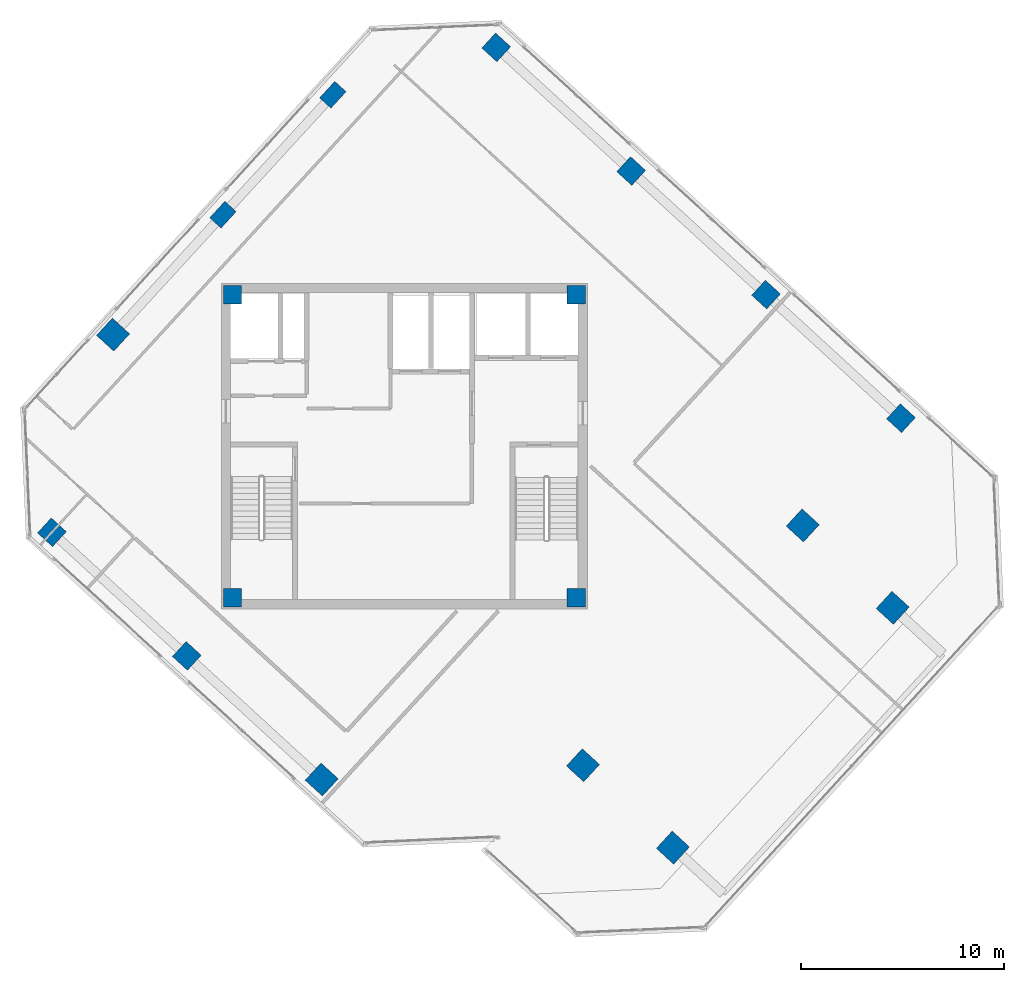
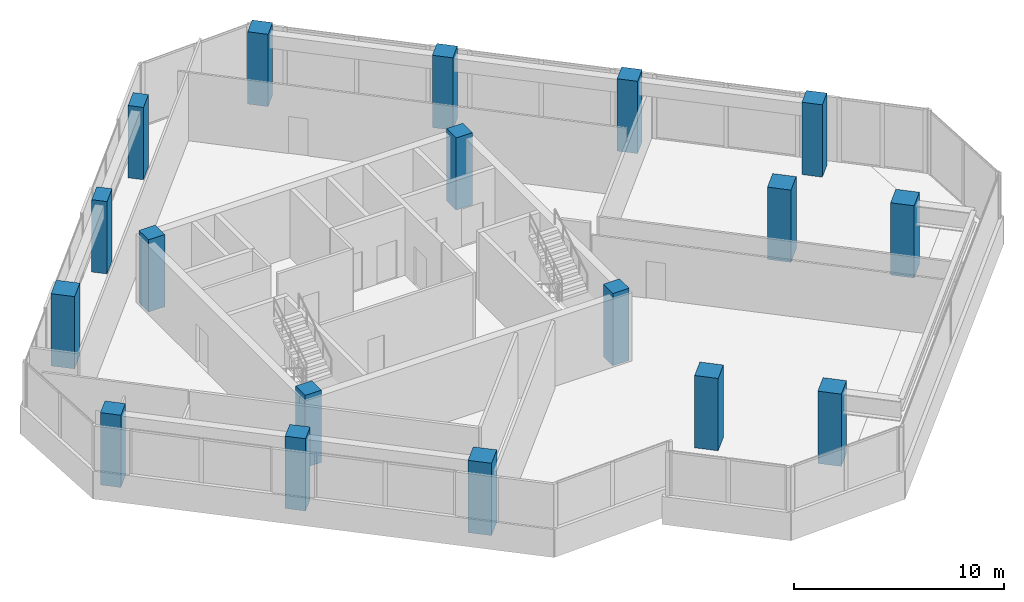
# One storey, part 1 of 18: 18 columns.
"""IFC4 building model written with IfcOpenShell, lengths in metres."""

from ifc_helpers import new_model, si_unit, direction, frame, origin, origin_2d, place, context, subcontext, project, spatial, rectangle, extrude, source, transform, mapped, material, material_profile, profile_set, type_object, element, save


model = new_model("IFC4")

# Units and contexts
model_context = context("Model", 3, precision=1e-05, world=origin(), true_north=direction((0.0, 1.0)))
body_context = subcontext(model_context, "Body", "Model", "MODEL_VIEW")
ifc_project = project(units=[si_unit("LENGTHUNIT", "METRE"), si_unit("AREAUNIT", "SQUARE_METRE"), si_unit("VOLUMEUNIT", "CUBIC_METRE"), si_unit("PLANEANGLEUNIT", "RADIAN"), si_unit("MASSUNIT", "GRAM", prefix="KILO")], contexts=[model_context])

# Site, building, storey
site_placement = place(None, origin())
site = spatial("IfcSite", under=ifc_project, at=site_placement, CompositionType="ELEMENT")
building_placement = place(site_placement, origin())
building = spatial("IfcBuilding", under=site, at=building_placement, Name="Torre Montelarca", CompositionType="ELEMENT")
storey_placement = place(building_placement, frame((0.0, 0.0, 233.199951171875)))
storey = spatial("IfcBuildingStorey", under=building, at=storey_placement, Name="L52", CompositionType="ELEMENT", Elevation=233.199951171875)

# Columns
ifc_material_1 = material(Name="Concrete C55/67", Category="concrete")
ifc_material_profile_1 = material_profile(ifc_material_1, rectangle(XDim=1.14990234375, YDim=1.14990234375, at=origin_2d()), Name="RC1150X1150", Category="concrete")
ifc_profile_set_1 = profile_set([ifc_material_profile_1], Name="Concrete C55/67")
column_type_1 = type_object("IfcColumnType", Name="COL-RC1150", PredefinedType="COLUMN", material=ifc_profile_set_1)
shared_shape_1 = source(origin(), body_context, "Body", "SweptSolid", [
    extrude(rectangle(XDim=1.14990234375, YDim=1.14990234375, at=origin_2d()), origin(), (0.0, 0.0, 1.0), 4.198486328125),
])
for number, where, z_axis, x_axis, name in (
    (1, (26.785888671875, 16.3056640625, 0.000732421875), (0.0, 0.0, 1.0), (-0.73727733681, 0.675590207616, 0.0), "L52 Column 5/D"),
    (2, (37.59521484375, 28.102294921875, 0.000732421875), (0.0, 0.0, 1.0), (-0.73727733681, 0.675590207616, 0.0), "L52 Column 5/F"),
):
    element("IfcColumn", number, at=place(storey_placement, frame(where, z_axis=z_axis, x_axis=x_axis)), inside=storey, type_object=column_type_1, Name=name, PredefinedType="COLUMN", context=body_context, shape_type="MappedRepresentation", body=[
        mapped(shared_shape_1, transform((0.0, 0.0, 0.0), scale=1.0)),
    ])
ifc_material_profile_2 = material_profile(ifc_material_1, rectangle(XDim=1.14990234375, YDim=1.14990234375, at=origin_2d()), Name="RC1150X1150", Category="concrete")
ifc_profile_set_2 = profile_set([ifc_material_profile_2], Name="Concrete C55/67")
column_type_2 = type_object("IfcColumnType", Name="COL-RC1150-EXT", PredefinedType="COLUMN", material=ifc_profile_set_2)
shared_shape_2 = source(origin(), body_context, "Body", "SweptSolid", [
    extrude(rectangle(XDim=1.14990234375, YDim=1.14990234375, at=origin_2d()), origin(), (0.0, 0.0, 1.0), 4.198486328125),
])
for number, where, z_axis, x_axis, name in (
    (3, (13.934814453125, 15.60302734375, 0.000732421875), (0.0, 0.0, 1.0), (-0.73727733681, 0.675590207616, 0.0), "L52 Column 4/CS"),
    (4, (31.20947265625, 12.252197265625, 0.000732421875), (0.0, 0.0, 1.0), (-0.73727733681, 0.675590207616, 0.0), "L52 Column 6/D"),
    (5, (42.018798828125, 24.048583984375, 0.000732421875), (0.0, 0.0, 1.0), (-0.73727733681, 0.675590207616, 0.0), "L52 Column 6/F"),
    (6, (3.672119140625, 37.485595703125, 0.000732421875), (0.0, 0.0, 1.0), (-0.73727733681, 0.675590207616, 0.0), "L52 Column 1W/D"),
):
    element("IfcColumn", number, at=place(storey_placement, frame(where, z_axis=z_axis, x_axis=x_axis)), inside=storey, type_object=column_type_2, Name=name, PredefinedType="COLUMN", context=body_context, shape_type="MappedRepresentation", body=[
        mapped(shared_shape_2, transform((0.0, 0.0, 0.0), scale=1.0)),
    ])
ifc_material_profile_3 = material_profile(ifc_material_1, rectangle(XDim=1.0, YDim=1.0, at=origin_2d()), Name="RC1000X1000", Category="concrete")
ifc_profile_set_3 = profile_set([ifc_material_profile_3], Name="Concrete C55/67")
column_type_3 = type_object("IfcColumnType", Name="COL-RC1000-EXT", PredefinedType="COLUMN", material=ifc_profile_set_3)
shared_shape_3 = source(origin(), body_context, "Body", "SweptSolid", [
    extrude(rectangle(XDim=1.0, YDim=1.0, at=origin_2d()), origin(), (0.0, 0.0, 1.0), 4.198486328125),
])
for number, where, z_axis, x_axis, name in (
    (7, (0.663818359375, 27.763671875, 0.000732421875), (0.0, 0.0, 1.0), (-0.73727733681, 0.675590207616, 0.0), "L52 Column 2/CS"),
    (8, (22.519287109375, 51.614501953125, 0.000732421875), (0.0, 0.0, 1.0), (-0.73727733681, 0.675590207616, 0.0), "L52 Column 2/GN"),
    (9, (7.29931640625, 21.683349609375, 0.000732421875), (0.0, 0.0, 1.0), (-0.73727733681, 0.675590207616, 0.0), "L52 Column 3/CS"),
    (10, (29.15478515625, 45.5341796875, 0.000732421875), (0.0, 0.0, 1.0), (-0.73727733681, 0.675590207616, 0.0), "L52 Column 3/GN"),
    (11, (35.790283203125, 39.4541015625, 0.000732421875), (0.0, 0.0, 1.0), (-0.73727733681, 0.675590207616, 0.0), "L52 Column 4/GN"),
    (12, (42.42578125, 33.373779296875, 0.000732421875), (0.0, 0.0, 1.0), (-0.73727733681, 0.675590207616, 0.0), "L52 Column 5/GN"),
):
    element("IfcColumn", number, at=place(storey_placement, frame(where, z_axis=z_axis, x_axis=x_axis)), inside=storey, type_object=column_type_3, Name=name, PredefinedType="COLUMN", context=body_context, shape_type="MappedRepresentation", body=[
        mapped(shared_shape_3, transform((0.0, 0.0, 0.0), scale=1.0)),
    ])
ifc_material_profile_4 = material_profile(ifc_material_1, rectangle(XDim=0.89990234375, YDim=0.89990234375, at=origin_2d()), Name="RC900X900", Category="concrete")
ifc_profile_set_4 = profile_set([ifc_material_profile_4], Name="Concrete C55/67")
column_type_4 = type_object("IfcColumnType", Name="COL-RC900", PredefinedType="COLUMN", material=ifc_profile_set_4)
shared_shape_4 = source(origin(), body_context, "Body", "SweptSolid", [
    extrude(rectangle(XDim=0.89990234375, YDim=0.89990234375, at=origin_2d()), origin(), (0.0, 0.0, 1.0), 4.198486328125),
])
for number, where, z_axis, x_axis, name in (
    (13, (9.550048828125, 24.550048828125, 0.000732421875), (0.0, 0.0, 1.0), (1.0, 0.0, 0.0), "L52 Plumb Core Corner Column 2D"),
    (14, (26.449951171875, 24.550048828125, 0.000732421875), (0.0, 0.0, 1.0), (1.0, 0.0, 0.0), "L52 Plumb Core Corner Column 4D"),
    (15, (9.550048828125, 39.449951171875, 0.000732421875), (0.0, 0.0, 1.0), (1.0, 0.0, 0.0), "L52 Plumb Core Corner Column 2F"),
    (16, (26.449951171875, 39.449951171875, 0.000732421875), (0.0, 0.0, 1.0), (1.0, 0.0, 0.0), "L52 Plumb Core Corner Column 4F"),
):
    element("IfcColumn", number, at=place(storey_placement, frame(where, z_axis=z_axis, x_axis=x_axis)), inside=storey, type_object=column_type_4, Name=name, PredefinedType="COLUMN", context=body_context, shape_type="MappedRepresentation", body=[
        mapped(shared_shape_4, transform((0.0, 0.0, 0.0), scale=1.0)),
    ])
ifc_material_2 = material(Name="Concrete C40/50", Category="concrete")
ifc_material_profile_5 = material_profile(ifc_material_2, rectangle(XDim=0.75, YDim=1.10009765625, at=origin_2d()), Name="RC1100X750", Category="concrete")
ifc_profile_set_5 = profile_set([ifc_material_profile_5], Name="Concrete C40/50")
column_type_5 = type_object("IfcColumnType", Name="COL-PIL1100-EXT", PredefinedType="PILASTER", material=ifc_profile_set_5)
shared_shape_5 = source(origin(), body_context, "Body", "SweptSolid", [
    extrude(rectangle(XDim=0.75, YDim=1.10009765625, at=origin_2d()), origin(), (0.0, 0.0, 1.0), 4.198486328125),
])
for number, where, z_axis, x_axis, name in (
    (17, (9.076904296875, 43.3837890625, 0.000732421875), (0.0, 0.0, 1.0), (-0.73727733681, 0.675590207616, 0.0), "L52 Column 1W/E"),
    (18, (14.481689453125, 49.281982421875, 0.000732421875), (0.0, 0.0, 1.0), (-0.73727733681, 0.675590207616, 0.0), "L52 Column 1W/F"),
):
    element("IfcColumn", number, at=place(storey_placement, frame(where, z_axis=z_axis, x_axis=x_axis)), inside=storey, type_object=column_type_5, Name=name, PredefinedType="PILASTER", context=body_context, shape_type="MappedRepresentation", body=[
        mapped(shared_shape_5, transform((0.0, 0.0, 0.0), scale=1.0)),
    ])

save(model, "model.ifc")
